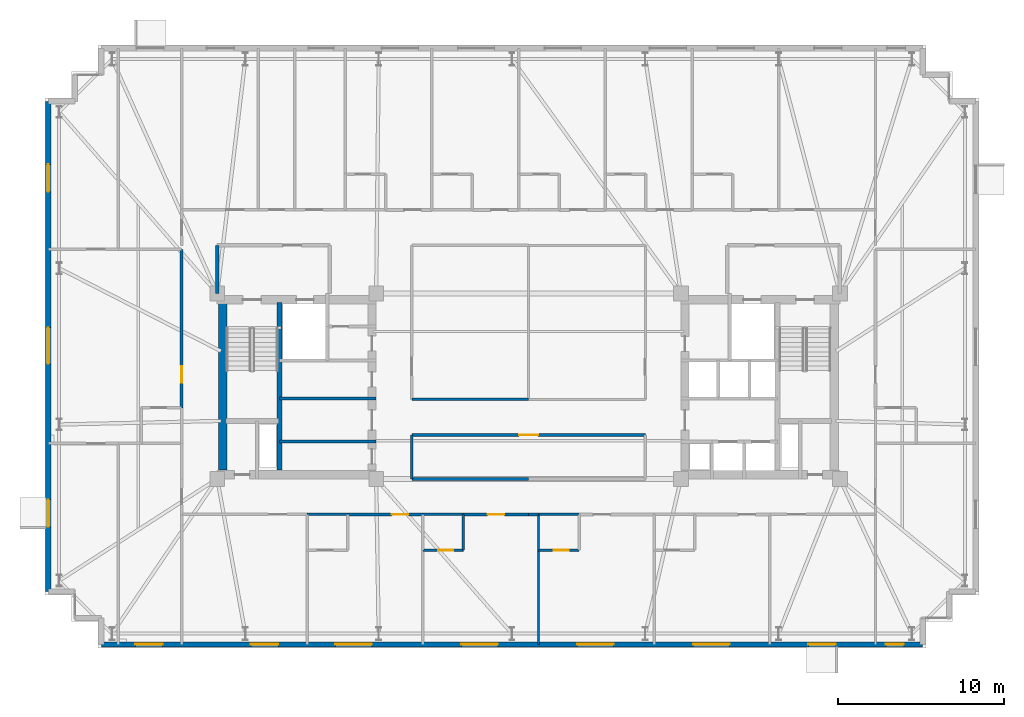
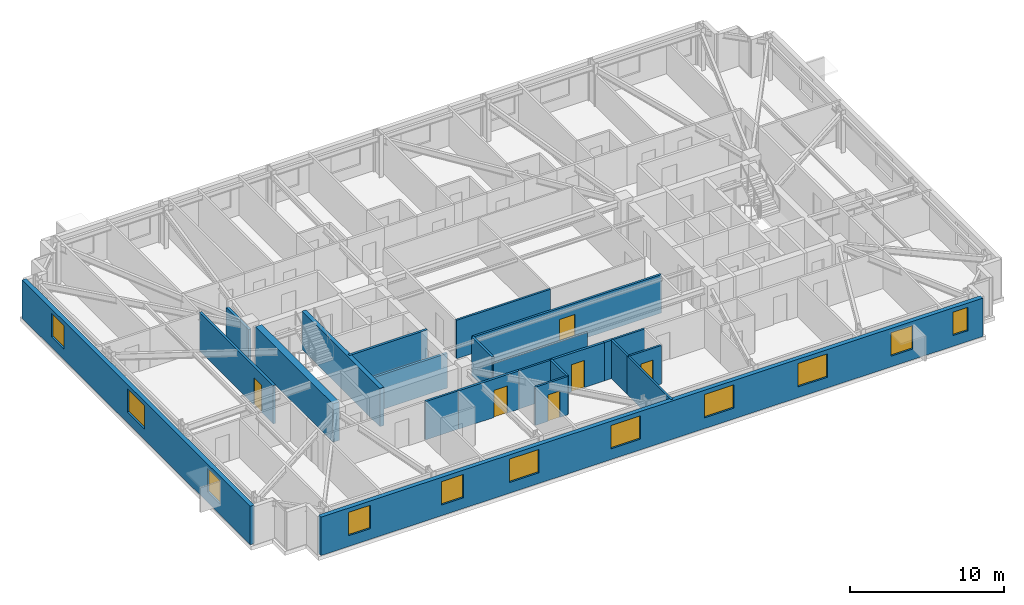
# One storey, part 11 of 17: 23 walls, 11 windows, 6 doors, 17 openings.
"""IFC4 building model written with IfcOpenShell, lengths in metres."""

from ifc_helpers import new_model, si_unit, direction, frame, frame_2d, origin, place, context, subcontext, project, spatial, rectangle, extrude, material, layer, layer_set, type_object, element, fill, save


model = new_model("IFC4")

# Units and contexts
model_context = context("Model", 3, precision=1e-05, world=origin(), true_north=direction((0.0, 1.0)))
body_context = subcontext(model_context, "Body", "Model", "MODEL_VIEW")
ifc_project = project(units=[si_unit("LENGTHUNIT", "METRE"), si_unit("AREAUNIT", "SQUARE_METRE"), si_unit("VOLUMEUNIT", "CUBIC_METRE"), si_unit("PLANEANGLEUNIT", "RADIAN"), si_unit("MASSUNIT", "GRAM", prefix="KILO")], contexts=[model_context])

# Site, building, storey
site_placement = place(None, origin())
site = spatial("IfcSite", under=ifc_project, at=site_placement, CompositionType="ELEMENT")
building_placement = place(site_placement, origin())
building = spatial("IfcBuilding", under=site, at=building_placement, Name="Qobustan Lattice House", CompositionType="ELEMENT")
storey_placement = place(building_placement, frame((0.0, 0.0, 144.39990234375)))
storey = spatial("IfcBuildingStorey", under=building, at=storey_placement, Name="L40", CompositionType="ELEMENT", Elevation=144.39990234375)

# Walls
ifc_material_1 = material(Name="Concrete C50/60", Category="concrete")
ifc_layer_1 = layer(ifc_material_1, 0.5)
ifc_layer_set_1 = layer_set([ifc_layer_1], Name="Concrete C50/60")
wall_type_1 = type_object("IfcWallType", Name="WAL-CORE-500", PredefinedType="SHEAR", material=ifc_layer_set_1)
wall_1_placement = place(storey_placement, frame((-18.4599609375, -5.050048828125, 0.0), z_axis=(0.0, 0.0, 1.0), x_axis=(0.0, 1.0, 0.0)))
element("IfcWall", 1, at=wall_1_placement, inside=storey, type_object=wall_type_1, Name="L40 split-core shear wall CW-W", PredefinedType="SHEAR", context=body_context, shape_type="SweptSolid", body=[
    extrude(rectangle(XDim=10.10009765625, YDim=0.5, at=frame_2d((5.050048828125, 0.0))), origin(), (0.0, 0.0, 1.0), 3.0400390625),
])
ifc_material_2 = material(Name="Concrete C50/60", Category="concrete")
ifc_layer_2 = layer(ifc_material_2, 0.280029296875)
ifc_layer_set_2 = layer_set([ifc_layer_2], Name="Concrete C50/60")
wall_type_2 = type_object("IfcWallType", Name="WAL-CORE-SPINE-280", PredefinedType="SHEAR", material=ifc_layer_set_2)
wall_2_placement = place(storey_placement, frame((-15.050048828125, -5.050048828125, 0.0), z_axis=(0.0, 0.0, 1.0), x_axis=(0.0, 1.0, 0.0)))
element("IfcWall", 2, at=wall_2_placement, inside=storey, type_object=wall_type_2, Name="L40 split-core shear wall CW-M", PredefinedType="SHEAR", context=body_context, shape_type="SweptSolid", body=[
    extrude(rectangle(XDim=10.10009765625, YDim=0.300048828125, at=frame_2d((5.050048828125, 0.0))), origin(), (0.0, 0.0, 1.0), 3.0400390625),
])

# Wall, openings, windows
ifc_material_3 = material(Name="Precast concrete C40/50", Category="concrete")
ifc_layer_3 = layer(ifc_material_3, 0.320068359375)
ifc_layer_set_3 = layer_set([ifc_layer_3], Name="Precast concrete C40/50")
wall_type_3 = type_object("IfcWallType", Name="WAL-EXT-STONE-320", PredefinedType="SOLIDWALL", material=ifc_layer_set_3)
wall_3_placement = place(storey_placement, frame((-29.0, -12.39990234375, 0.0), z_axis=(0.0, 0.0, 1.0), x_axis=(0.0, 1.0, 0.0)))
wall_3 = element("IfcWall", 3, at=wall_3_placement, inside=storey, type_object=wall_type_3, Name="L40 exterior limestone-clad wall 5", PredefinedType="SOLIDWALL", context=body_context, shape_type="SweptSolid", body=[
    extrude(rectangle(XDim=29.599853515625, YDim=0.320068359375, at=frame_2d((14.7998046875, 0.0))), origin(), (0.0, 0.0, 1.0), 3.0400390625),
])
opening_1_placement = place(wall_3_placement, frame((3.89501953125, 0.0, 0.85009765625)))
opening_1 = element("IfcOpeningElement", 4, at=opening_1_placement, cuts=wall_3, Name="Opening WN-09", PredefinedType="OPENING", context=body_context, shape_type="SweptSolid", body=[
    extrude(rectangle(XDim=1.64990234375, YDim=1.85009765625, at=frame_2d((0.824951171875, 0.925048828125))), frame((0.0, 0.169921875, 0.0), z_axis=(0.0, -1.0, 0.0), x_axis=(1.0, 0.0, 0.0)), (0.0, 0.0, 1.0), 0.340087890625),
])
opening_2_placement = place(wall_3_placement, frame((13.739990234375, 0.0, 0.85009765625)))
opening_2 = element("IfcOpeningElement", 5, at=opening_2_placement, cuts=wall_3, Name="Opening WN-03", PredefinedType="OPENING", context=body_context, shape_type="SweptSolid", body=[
    extrude(rectangle(XDim=2.199951171875, YDim=1.85009765625, at=frame_2d((1.10009765625, 0.925048828125))), frame((0.0, 0.169921875, 0.0), z_axis=(0.0, -1.0, 0.0), x_axis=(1.0, 0.0, 0.0)), (0.0, 0.0, 1.0), 0.340087890625),
])
opening_3_placement = place(wall_3_placement, frame((24.135009765625, 0.0, 0.85009765625)))
opening_3 = element("IfcOpeningElement", 6, at=opening_3_placement, cuts=wall_3, Name="Opening WN-09", PredefinedType="OPENING", context=body_context, shape_type="SweptSolid", body=[
    extrude(rectangle(XDim=1.64990234375, YDim=1.85009765625, at=frame_2d((0.824951171875, 0.925048828125))), frame((0.0, 0.169921875, 0.0), z_axis=(0.0, -1.0, 0.0), x_axis=(1.0, 0.0, 0.0)), (0.0, 0.0, 1.0), 0.340087890625),
])
ifc_material_4 = material(Name="Double-glazed low-E aluminium window", Category="aluminium")
window_type_1 = type_object("IfcWindowType", Name="WIN-STU-1650x1850", PartitioningType="SINGLE_PANEL", PredefinedType="WINDOW", material=ifc_material_4)
window_1_placement = place(opening_1_placement, origin())
window_1 = element("IfcWindow", 7, at=window_1_placement, inside=storey, type_object=window_type_1, Name="L40 Focus study room W1A window", OverallHeight=1.85009765625, OverallWidth=1.64990234375, PartitioningType="SINGLE_PANEL", PredefinedType="WINDOW", context=body_context, shape_type="SweptSolid", body=[
    extrude(rectangle(XDim=1.64990234375, YDim=1.85009765625, at=frame_2d((0.824951171875, 0.925048828125))), frame((0.0, 0.030029296875, 0.0), z_axis=(0.0, -1.0, 0.0), x_axis=(1.0, 0.0, 0.0)), (0.0, 0.0, 1.0), 0.06005859375),
])
fill(opening_1, window_1)
window_2_placement = place(opening_3_placement, origin())
window_2 = element("IfcWindow", 8, at=window_2_placement, inside=storey, type_object=window_type_1, Name="L40 Focus study room W3A window", OverallHeight=1.85009765625, OverallWidth=1.64990234375, PartitioningType="SINGLE_PANEL", PredefinedType="WINDOW", context=body_context, shape_type="SweptSolid", body=[
    extrude(rectangle(XDim=1.64990234375, YDim=1.85009765625, at=frame_2d((0.824951171875, 0.925048828125))), frame((0.0, 0.030029296875, 0.0), z_axis=(0.0, -1.0, 0.0), x_axis=(1.0, 0.0, 0.0)), (0.0, 0.0, 1.0), 0.06005859375),
])
fill(opening_3, window_2)
ifc_material_5 = material(Name="Double-glazed low-E aluminium window", Category="aluminium")
window_type_2 = type_object("IfcWindowType", Name="WIN-WIDE-2200x1850", PartitioningType="SINGLE_PANEL", PredefinedType="WINDOW", material=ifc_material_5)
window_3_placement = place(opening_2_placement, origin())
window_3 = element("IfcWindow", 9, at=window_3_placement, inside=storey, type_object=window_type_2, Name="L40 Kitchenette and studio apartment L40-W2 window", OverallHeight=1.85009765625, OverallWidth=2.199951171875, PartitioningType="SINGLE_PANEL", PredefinedType="WINDOW", context=body_context, shape_type="SweptSolid", body=[
    extrude(rectangle(XDim=2.199951171875, YDim=1.85009765625, at=frame_2d((1.10009765625, 0.925048828125))), frame((0.0, 0.030029296875, 0.0), z_axis=(0.0, -1.0, 0.0), x_axis=(1.0, 0.0, 0.0)), (0.0, 0.0, 1.0), 0.06005859375),
])
fill(opening_2, window_3)

wall_4_placement = place(storey_placement, frame((23.800048828125, -15.60009765625, 0.0), z_axis=(0.0, 0.0, 1.0), x_axis=(-1.0, 0.0, 0.0)))
wall_4 = element("IfcWall", 10, at=wall_4_placement, inside=storey, type_object=wall_type_3, Name="L40 exterior limestone-clad wall 20", PredefinedType="SOLIDWALL", context=body_context, shape_type="SweptSolid", body=[
    extrude(rectangle(XDim=49.60009765625, YDim=0.320068359375, at=frame_2d((24.800048828125, 0.0))), origin(), (0.0, 0.0, 1.0), 3.0400390625),
])
opening_4_placement = place(wall_4_placement, frame((1.1298828125, 0.0, 0.85009765625)))
opening_4 = element("IfcOpeningElement", 11, at=opening_4_placement, cuts=wall_4, Name="Opening WN-04", PredefinedType="OPENING", context=body_context, shape_type="SweptSolid", body=[
    extrude(rectangle(XDim=1.10009765625, YDim=1.85009765625, at=frame_2d((0.550048828125, 0.925048828125))), frame((0.0, 0.169921875, 0.0), z_axis=(0.0, -1.0, 0.0), x_axis=(1.0, 0.0, 0.0)), (0.0, 0.0, 1.0), 0.340087890625),
])
opening_5_placement = place(wall_4_placement, frame((5.2548828125, 0.0, 0.85009765625)))
opening_5 = element("IfcOpeningElement", 12, at=opening_5_placement, cuts=wall_4, Name="Opening WN-09", PredefinedType="OPENING", context=body_context, shape_type="SweptSolid", body=[
    extrude(rectangle(XDim=1.64990234375, YDim=1.85009765625, at=frame_2d((0.824951171875, 0.925048828125))), frame((0.0, 0.169921875, 0.0), z_axis=(0.0, -1.0, 0.0), x_axis=(1.0, 0.0, 0.0)), (0.0, 0.0, 1.0), 0.340087890625),
])
opening_6_placement = place(wall_4_placement, frame((11.659912109375, 0.0, 0.85009765625)))
opening_6 = element("IfcOpeningElement", 13, at=opening_6_placement, cuts=wall_4, Name="Opening WN-03", PredefinedType="OPENING", context=body_context, shape_type="SweptSolid", body=[
    extrude(rectangle(XDim=2.199951171875, YDim=1.85009765625, at=frame_2d((1.10009765625, 0.925048828125))), frame((0.0, 0.169921875, 0.0), z_axis=(0.0, -1.0, 0.0), x_axis=(1.0, 0.0, 0.0)), (0.0, 0.0, 1.0), 0.340087890625),
])
opening_7_placement = place(wall_4_placement, frame((18.659912109375, 0.0, 0.85009765625)))
opening_7 = element("IfcOpeningElement", 14, at=opening_7_placement, cuts=wall_4, Name="Opening WN-03", PredefinedType="OPENING", context=body_context, shape_type="SweptSolid", body=[
    extrude(rectangle(XDim=2.199951171875, YDim=1.85009765625, at=frame_2d((1.10009765625, 0.925048828125))), frame((0.0, 0.169921875, 0.0), z_axis=(0.0, -1.0, 0.0), x_axis=(1.0, 0.0, 0.0)), (0.0, 0.0, 1.0), 0.340087890625),
])
opening_8_placement = place(wall_4_placement, frame((25.659912109375, 0.0, 0.85009765625)))
opening_8 = element("IfcOpeningElement", 15, at=opening_8_placement, cuts=wall_4, Name="Opening WN-03", PredefinedType="OPENING", context=body_context, shape_type="SweptSolid", body=[
    extrude(rectangle(XDim=2.199951171875, YDim=1.85009765625, at=frame_2d((1.10009765625, 0.925048828125))), frame((0.0, 0.169921875, 0.0), z_axis=(0.0, -1.0, 0.0), x_axis=(1.0, 0.0, 0.0)), (0.0, 0.0, 1.0), 0.340087890625),
])
opening_9_placement = place(wall_4_placement, frame((33.26806640625, 0.0, 0.85009765625)))
opening_9 = element("IfcOpeningElement", 16, at=opening_9_placement, cuts=wall_4, Name="Opening WN-03", PredefinedType="OPENING", context=body_context, shape_type="SweptSolid", body=[
    extrude(rectangle(XDim=2.199951171875, YDim=1.85009765625, at=frame_2d((1.10009765625, 0.925048828125))), frame((0.0, 0.169921875, 0.0), z_axis=(0.0, -1.0, 0.0), x_axis=(1.0, 0.0, 0.0)), (0.0, 0.0, 1.0), 0.340087890625),
])
opening_10_placement = place(wall_4_placement, frame((38.91259765625, 0.0, 0.85009765625)))
opening_10 = element("IfcOpeningElement", 17, at=opening_10_placement, cuts=wall_4, Name="Opening WN-09", PredefinedType="OPENING", context=body_context, shape_type="SweptSolid", body=[
    extrude(rectangle(XDim=1.64990234375, YDim=1.85009765625, at=frame_2d((0.824951171875, 0.925048828125))), frame((0.0, 0.169921875, 0.0), z_axis=(0.0, -1.0, 0.0), x_axis=(1.0, 0.0, 0.0)), (0.0, 0.0, 1.0), 0.340087890625),
])
opening_11_placement = place(wall_4_placement, frame((45.89501953125, 0.0, 0.85009765625)))
opening_11 = element("IfcOpeningElement", 18, at=opening_11_placement, cuts=wall_4, Name="Opening WN-09", PredefinedType="OPENING", context=body_context, shape_type="SweptSolid", body=[
    extrude(rectangle(XDim=1.64990234375, YDim=1.85009765625, at=frame_2d((0.824951171875, 0.925048828125))), frame((0.0, 0.169921875, 0.0), z_axis=(0.0, -1.0, 0.0), x_axis=(1.0, 0.0, 0.0)), (0.0, 0.0, 1.0), 0.340087890625),
])
ifc_material_6 = material(Name="Double-glazed low-E aluminium window", Category="aluminium")
window_type_3 = type_object("IfcWindowType", Name="WIN-NAR-1100x1850", PartitioningType="SINGLE_PANEL", PredefinedType="WINDOW", material=ifc_material_6)
window_4_placement = place(opening_4_placement, origin())
window_4 = element("IfcWindow", 19, at=window_4_placement, inside=storey, type_object=window_type_3, Name="L40 Focus study room E1 window", OverallHeight=1.85009765625, OverallWidth=1.10009765625, PartitioningType="SINGLE_PANEL", PredefinedType="WINDOW", context=body_context, shape_type="SweptSolid", body=[
    extrude(rectangle(XDim=1.10009765625, YDim=1.85009765625, at=frame_2d((0.550048828125, 0.925048828125))), frame((0.0, 0.030029296875, 0.0), z_axis=(0.0, -1.0, 0.0), x_axis=(1.0, 0.0, 0.0)), (0.0, 0.0, 1.0), 0.06005859375),
])
fill(opening_4, window_4)
window_5_placement = place(opening_5_placement, origin())
window_5 = element("IfcWindow", 20, at=window_5_placement, inside=storey, type_object=window_type_1, Name="L40 Group study room window", OverallHeight=1.85009765625, OverallWidth=1.64990234375, PartitioningType="SINGLE_PANEL", PredefinedType="WINDOW", context=body_context, shape_type="SweptSolid", body=[
    extrude(rectangle(XDim=1.64990234375, YDim=1.85009765625, at=frame_2d((0.824951171875, 0.925048828125))), frame((0.0, 0.030029296875, 0.0), z_axis=(0.0, -1.0, 0.0), x_axis=(1.0, 0.0, 0.0)), (0.0, 0.0, 1.0), 0.06005859375),
])
fill(opening_5, window_5)
window_6_placement = place(opening_10_placement, origin())
window_6 = element("IfcWindow", 21, at=window_6_placement, inside=storey, type_object=window_type_1, Name="L40 Focus study room S1 window", OverallHeight=1.85009765625, OverallWidth=1.64990234375, PartitioningType="SINGLE_PANEL", PredefinedType="WINDOW", context=body_context, shape_type="SweptSolid", body=[
    extrude(rectangle(XDim=1.64990234375, YDim=1.85009765625, at=frame_2d((0.824951171875, 0.925048828125))), frame((0.0, 0.030029296875, 0.0), z_axis=(0.0, -1.0, 0.0), x_axis=(1.0, 0.0, 0.0)), (0.0, 0.0, 1.0), 0.06005859375),
])
fill(opening_10, window_6)
window_7_placement = place(opening_11_placement, origin())
window_7 = element("IfcWindow", 22, at=window_7_placement, inside=storey, type_object=window_type_1, Name="L40 Focus study room W1B window", OverallHeight=1.85009765625, OverallWidth=1.64990234375, PartitioningType="SINGLE_PANEL", PredefinedType="WINDOW", context=body_context, shape_type="SweptSolid", body=[
    extrude(rectangle(XDim=1.64990234375, YDim=1.85009765625, at=frame_2d((0.824951171875, 0.925048828125))), frame((0.0, 0.030029296875, 0.0), z_axis=(0.0, -1.0, 0.0), x_axis=(1.0, 0.0, 0.0)), (0.0, 0.0, 1.0), 0.06005859375),
])
fill(opening_11, window_7)
window_8_placement = place(opening_6_placement, origin())
window_8 = element("IfcWindow", 23, at=window_8_placement, inside=storey, type_object=window_type_2, Name="L40 Kitchenette and studio apartment L40-S5 window", OverallHeight=1.85009765625, OverallWidth=2.199951171875, PartitioningType="SINGLE_PANEL", PredefinedType="WINDOW", context=body_context, shape_type="SweptSolid", body=[
    extrude(rectangle(XDim=2.199951171875, YDim=1.85009765625, at=frame_2d((1.10009765625, 0.925048828125))), frame((0.0, 0.030029296875, 0.0), z_axis=(0.0, -1.0, 0.0), x_axis=(1.0, 0.0, 0.0)), (0.0, 0.0, 1.0), 0.06005859375),
])
fill(opening_6, window_8)
window_9_placement = place(opening_7_placement, origin())
window_9 = element("IfcWindow", 24, at=window_9_placement, inside=storey, type_object=window_type_2, Name="L40 Kitchenette and studio apartment L40-S4 window", OverallHeight=1.85009765625, OverallWidth=2.199951171875, PartitioningType="SINGLE_PANEL", PredefinedType="WINDOW", context=body_context, shape_type="SweptSolid", body=[
    extrude(rectangle(XDim=2.199951171875, YDim=1.85009765625, at=frame_2d((1.10009765625, 0.925048828125))), frame((0.0, 0.030029296875, 0.0), z_axis=(0.0, -1.0, 0.0), x_axis=(1.0, 0.0, 0.0)), (0.0, 0.0, 1.0), 0.06005859375),
])
fill(opening_7, window_9)
window_10_placement = place(opening_8_placement, origin())
window_10 = element("IfcWindow", 25, at=window_10_placement, inside=storey, type_object=window_type_2, Name="L40 Kitchenette and studio apartment L40-S3 window", OverallHeight=1.85009765625, OverallWidth=2.199951171875, PartitioningType="SINGLE_PANEL", PredefinedType="WINDOW", context=body_context, shape_type="SweptSolid", body=[
    extrude(rectangle(XDim=2.199951171875, YDim=1.85009765625, at=frame_2d((1.10009765625, 0.925048828125))), frame((0.0, 0.030029296875, 0.0), z_axis=(0.0, -1.0, 0.0), x_axis=(1.0, 0.0, 0.0)), (0.0, 0.0, 1.0), 0.06005859375),
])
fill(opening_8, window_10)
window_11_placement = place(opening_9_placement, origin())
window_11 = element("IfcWindow", 26, at=window_11_placement, inside=storey, type_object=window_type_2, Name="L40 Kitchenette and studio apartment L40-S2 window", OverallHeight=1.85009765625, OverallWidth=2.199951171875, PartitioningType="SINGLE_PANEL", PredefinedType="WINDOW", context=body_context, shape_type="SweptSolid", body=[
    extrude(rectangle(XDim=2.199951171875, YDim=1.85009765625, at=frame_2d((1.10009765625, 0.925048828125))), frame((0.0, 0.030029296875, 0.0), z_axis=(0.0, -1.0, 0.0), x_axis=(1.0, 0.0, 0.0)), (0.0, 0.0, 1.0), 0.06005859375),
])
fill(opening_9, window_11)

# Walls
ifc_material_7 = material(Name="Gypsum fireboard acoustic partition", Category="gypsum")
ifc_layer_4 = layer(ifc_material_7, 0.179931640625)
ifc_layer_set_4 = layer_set([ifc_layer_4], Name="Gypsum fireboard acoustic partition")
wall_type_4 = type_object("IfcWallType", Name="WAL-FIRE-180", PredefinedType="PARTITIONING", material=ifc_layer_set_4)
wall_5_placement = place(storey_placement, frame((-15.050048828125, -3.35009765625, 0.0), z_axis=(0.0, 0.0, 1.0), x_axis=(1.0, 0.0, 0.0)))
element("IfcWall", 27, at=wall_5_placement, inside=storey, type_object=wall_type_4, Name="L40 interior partition 10", PredefinedType="PARTITIONING", context=body_context, shape_type="SweptSolid", body=[
    extrude(rectangle(XDim=5.85009765625, YDim=0.179931640625, at=frame_2d((2.925048828125, 0.0))), origin(), (0.0, 0.0, 1.0), 2.755126953125),
])
wall_6_placement = place(storey_placement, frame((-9.199951171875, -0.75, 0.0), z_axis=(0.0, 0.0, 1.0), x_axis=(-1.0, 0.0, 0.0)))
element("IfcWall", 28, at=wall_6_placement, inside=storey, type_object=wall_type_4, Name="L40 interior partition 11", PredefinedType="PARTITIONING", context=body_context, shape_type="SweptSolid", body=[
    extrude(rectangle(XDim=5.85009765625, YDim=0.179931640625, at=frame_2d((2.925048828125, 0.0))), origin(), (0.0, 0.0, 1.0), 3.0400390625),
])

# Wall, opening, door
wall_7_placement = place(storey_placement, frame((-6.383056640625, -7.75, 0.0), z_axis=(0.0, 0.0, 1.0), x_axis=(-1.0, 0.0, 0.0)))
wall_7 = element("IfcWall", 29, at=wall_7_placement, inside=storey, type_object=wall_type_4, Name="L40 interior partition 53", PredefinedType="PARTITIONING", context=body_context, shape_type="SweptSolid", body=[
    extrude(rectangle(XDim=4.533935546875, YDim=0.179931640625, at=frame_2d((2.26708984375, 0.0))), origin(), (0.0, 0.0, 1.0), 3.0400390625),
])
opening_12_placement = place(wall_7_placement, frame((0.876708984375, 0.0, 0.0)))
opening_12 = element("IfcOpeningElement", 30, at=opening_12_placement, cuts=wall_7, Name="Opening FD-02", PredefinedType="OPENING", context=body_context, shape_type="SweptSolid", body=[
    extrude(rectangle(XDim=1.0, YDim=2.14990234375, at=frame_2d((0.5, 1.074951171875))), frame((0.0, 0.099853515625, 0.0), z_axis=(0.0, -1.0, 0.0), x_axis=(1.0, 0.0, 0.0)), (0.0, 0.0, 1.0), 0.199951171875),
])
ifc_material_8 = material(Name="Persian walnut timber and steel frame door", Category="steel")
door_type_1 = type_object("IfcDoorType", Name="DOR-UNIT-FD-1000x2150", OperationType="NOTDEFINED", PredefinedType="DOOR", material=ifc_material_8)
door_1_placement = place(opening_12_placement, origin())
door_1 = element("IfcDoor", 31, at=door_1_placement, inside=storey, type_object=door_type_1, Name="L40 South-west floor corridor to Kitchenette and studio apartment L40-S2 door", OperationType="SINGLE_SWING_LEFT", OverallHeight=2.14990234375, OverallWidth=1.0, PredefinedType="DOOR", context=body_context, shape_type="SweptSolid", body=[
    extrude(rectangle(XDim=1.0, YDim=2.14990234375, at=frame_2d((0.5, 1.074951171875))), frame((0.0, 0.02490234375, 0.0), z_axis=(0.0, -1.0, 0.0), x_axis=(1.0, 0.0, 0.0)), (0.0, 0.0, 1.0), 0.050048828125),
])
fill(opening_12, door_1)

wall_8_placement = place(storey_placement, frame((0.0, -7.75, 0.0), z_axis=(0.0, 0.0, 1.0), x_axis=(-1.0, 0.0, 0.0)))
wall_8 = element("IfcWall", 32, at=wall_8_placement, inside=storey, type_object=wall_type_4, Name="L40 interior partition 55", PredefinedType="PARTITIONING", context=body_context, shape_type="SweptSolid", body=[
    extrude(rectangle(XDim=3.93310546875, YDim=0.179931640625, at=frame_2d((1.966552734375, 0.0))), origin(), (0.0, 0.0, 1.0), 3.0400390625),
])
opening_13_placement = place(wall_8_placement, frame((1.466552734375, 0.0, 0.0)))
opening_13 = element("IfcOpeningElement", 33, at=opening_13_placement, cuts=wall_8, Name="Opening FD-02", PredefinedType="OPENING", context=body_context, shape_type="SweptSolid", body=[
    extrude(rectangle(XDim=1.0, YDim=2.14990234375, at=frame_2d((0.5, 1.074951171875))), frame((0.0, 0.099853515625, 0.0), z_axis=(0.0, -1.0, 0.0), x_axis=(1.0, 0.0, 0.0)), (0.0, 0.0, 1.0), 0.199951171875),
])
door_2_placement = place(opening_13_placement, origin())
door_2 = element("IfcDoor", 34, at=door_2_placement, inside=storey, type_object=door_type_1, Name="L40 South-west floor corridor to Kitchenette and studio apartment L40-S3 door", OperationType="SINGLE_SWING_RIGHT", OverallHeight=2.14990234375, OverallWidth=1.0, PredefinedType="DOOR", context=body_context, shape_type="SweptSolid", body=[
    extrude(rectangle(XDim=1.0, YDim=2.14990234375, at=frame_2d((0.5, 1.074951171875))), frame((0.0, 0.02490234375, 0.0), z_axis=(0.0, -1.0, 0.0), x_axis=(1.0, 0.0, 0.0)), (0.0, 0.0, 1.0), 0.050048828125),
])
fill(opening_13, door_2)

# Wall
wall_9_placement = place(storey_placement, frame((0.60009765625, -7.75, 0.0), z_axis=(0.0, 0.0, 1.0), x_axis=(-1.0, 0.0, 0.0)))
element("IfcWall", 35, at=wall_9_placement, inside=storey, type_object=wall_type_4, Name="L40 interior partition 59", PredefinedType="PARTITIONING", context=body_context, shape_type="SweptSolid", body=[
    extrude(rectangle(XDim=0.60009765625, YDim=0.179931640625, at=frame_2d((0.300048828125, 0.0))), origin(), (0.0, 0.0, 1.0), 3.0400390625),
])

# Wall, opening, door
wall_10_placement = place(storey_placement, frame((-20.949951171875, -1.31005859375, 0.0), z_axis=(0.0, 0.0, 1.0), x_axis=(0.0, 1.0, 0.0)))
wall_10 = element("IfcWall", 36, at=wall_10_placement, inside=storey, type_object=wall_type_4, Name="L40 interior partition 67", PredefinedType="PARTITIONING", context=body_context, shape_type="SweptSolid", body=[
    extrude(rectangle(XDim=9.570068359375, YDim=0.179931640625, at=frame_2d((4.78515625, 0.0))), origin(), (0.0, 0.0, 1.0), 3.0400390625),
])
opening_14_placement = place(wall_10_placement, frame((1.50634765625, 0.0, 0.0)))
opening_14 = element("IfcOpeningElement", 37, at=opening_14_placement, cuts=wall_10, Name="Opening FD-02", PredefinedType="OPENING", context=body_context, shape_type="SweptSolid", body=[
    extrude(rectangle(XDim=1.0, YDim=2.14990234375, at=frame_2d((0.5, 1.074951171875))), frame((0.0, 0.099853515625, 0.0), z_axis=(0.0, -1.0, 0.0), x_axis=(1.0, 0.0, 0.0)), (0.0, 0.0, 1.0), 0.199951171875),
])
door_3_placement = place(opening_14_placement, origin())
door_3 = element("IfcDoor", 38, at=door_3_placement, inside=storey, type_object=door_type_1, Name="L40 West wing spine gallery to Kitchenette and studio apartment L40-W2 door", OperationType="SINGLE_SWING_LEFT", OverallHeight=2.14990234375, OverallWidth=1.0, PredefinedType="DOOR", context=body_context, shape_type="SweptSolid", body=[
    extrude(rectangle(XDim=1.0, YDim=2.14990234375, at=frame_2d((0.5, 1.074951171875))), frame((0.0, 0.02490234375, 0.0), z_axis=(0.0, -1.0, 0.0), x_axis=(1.0, 0.0, 0.0)), (0.0, 0.0, 1.0), 0.050048828125),
])
fill(opening_14, door_3)

# Walls
ifc_material_9 = material(Name="Acoustic twin-stud gypsum partition", Category="gypsum")
ifc_layer_5 = layer(ifc_material_9, 0.14990234375)
ifc_layer_set_5 = layer_set([ifc_layer_5], Name="Acoustic twin-stud gypsum partition")
wall_type_5 = type_object("IfcWallType", Name="WAL-PART-150", PredefinedType="PARTITIONING", material=ifc_layer_set_5)
wall_11_placement = place(storey_placement, frame((-7.050048828125, -0.800048828125, 0.0), z_axis=(0.0, 0.0, 1.0), x_axis=(1.0, 0.0, 0.0)))
element("IfcWall", 39, at=wall_11_placement, inside=storey, type_object=wall_type_5, Name="L40 interior partition 72", PredefinedType="PARTITIONING", context=body_context, shape_type="SweptSolid", body=[
    extrude(rectangle(XDim=7.050048828125, YDim=0.14990234375, at=frame_2d((3.52490234375, 0.0))), origin(), (0.0, 0.0, 1.0), 3.0400390625),
])
wall_12_placement = place(storey_placement, frame((0.60009765625, -9.89990234375, 0.0), z_axis=(0.0, 0.0, 1.0), x_axis=(0.0, -1.0, 0.0)))
element("IfcWall", 40, at=wall_12_placement, inside=storey, type_object=wall_type_5, Name="L40 interior partition 128", PredefinedType="PARTITIONING", context=body_context, shape_type="SweptSolid", body=[
    extrude(rectangle(XDim=5.7001953125, YDim=0.14990234375, at=frame_2d((2.85009765625, 0.0))), origin(), (0.0, 0.0, 1.0), 3.0400390625),
])
ifc_material_10 = material(Name="High-mass acoustic twin-stud partition", Category="gypsum")
ifc_layer_6 = layer(ifc_material_10, 0.1650390625)
ifc_layer_set_6 = layer_set([ifc_layer_6], Name="High-mass acoustic twin-stud partition")
wall_type_6 = type_object("IfcWallType", Name="WAL-PART-165", PredefinedType="PARTITIONING", material=ifc_layer_set_6)
wall_13_placement = place(storey_placement, frame((-7.050048828125, -5.60009765625, 0.0), z_axis=(0.0, 0.0, 1.0), x_axis=(1.0, 0.0, 0.0)))
element("IfcWall", 41, at=wall_13_placement, inside=storey, type_object=wall_type_6, Name="L40 interior partition 57", PredefinedType="PARTITIONING", context=body_context, shape_type="SweptSolid", body=[
    extrude(rectangle(XDim=7.050048828125, YDim=0.1650390625, at=frame_2d((3.52490234375, 0.0))), origin(), (0.0, 0.0, 1.0), 2.525146484375),
])

# Wall, opening, door
wall_14_placement = place(storey_placement, frame((7.050048828125, -2.949951171875, 0.0), z_axis=(0.0, 0.0, 1.0), x_axis=(-1.0, 0.0, 0.0)))
wall_14 = element("IfcWall", 42, at=wall_14_placement, inside=storey, type_object=wall_type_6, Name="L40 interior partition 74", PredefinedType="PARTITIONING", context=body_context, shape_type="SweptSolid", body=[
    extrude(rectangle(XDim=14.10009765625, YDim=0.1650390625, at=frame_2d((7.050048828125, 0.0))), origin(), (0.0, 0.0, 1.0), 3.0400390625),
])
opening_15_placement = place(wall_14_placement, frame((6.47509765625, 0.0, 0.0)))
opening_15 = element("IfcOpeningElement", 43, at=opening_15_placement, cuts=wall_14, Name="Opening ID-03", PredefinedType="OPENING", context=body_context, shape_type="SweptSolid", body=[
    extrude(rectangle(XDim=1.14990234375, YDim=2.14990234375, at=frame_2d((0.574951171875, 1.074951171875))), frame((0.0, 0.092529296875, 0.0), z_axis=(0.0, -1.0, 0.0), x_axis=(1.0, 0.0, 0.0)), (0.0, 0.0, 1.0), 0.18505859375),
])
ifc_material_11 = material(Name="Persian walnut timber and steel frame door", Category="steel")
door_type_2 = type_object("IfcDoorType", Name="DOR-KITCH-1150x2150", OperationType="NOTDEFINED", PredefinedType="DOOR", material=ifc_material_11)
door_4_placement = place(opening_15_placement, origin())
door_4 = element("IfcDoor", 44, at=door_4_placement, inside=storey, type_object=door_type_2, Name="L40 Central spine corridor to Shared kitchen and tea room door", OperationType="SINGLE_SWING_LEFT", OverallHeight=2.14990234375, OverallWidth=1.14990234375, PredefinedType="DOOR", context=body_context, shape_type="SweptSolid", body=[
    extrude(rectangle(XDim=1.14990234375, YDim=2.14990234375, at=frame_2d((0.574951171875, 1.074951171875))), frame((0.0, 0.02490234375, 0.0), z_axis=(0.0, -1.0, 0.0), x_axis=(1.0, 0.0, 0.0)), (0.0, 0.0, 1.0), 0.050048828125),
])
fill(opening_15, door_4)

# Walls
wall_15_placement = place(storey_placement, frame((-7.050048828125, -2.949951171875, 0.0), z_axis=(0.0, 0.0, 1.0), x_axis=(0.0, -1.0, 0.0)))
element("IfcWall", 45, at=wall_15_placement, inside=storey, type_object=wall_type_6, Name="L40 interior partition 76", PredefinedType="PARTITIONING", context=body_context, shape_type="SweptSolid", body=[
    extrude(rectangle(XDim=2.650146484375, YDim=0.1650390625, at=frame_2d((1.3251953125, 0.0))), origin(), (0.0, 0.0, 1.0), 3.0400390625),
])
ifc_material_12 = material(Name="Two-hour gypsum fireboard acoustic partition", Category="gypsum")
ifc_layer_7 = layer(ifc_material_12, 0.199951171875)
ifc_layer_set_7 = layer_set([ifc_layer_7], Name="Two-hour gypsum fireboard acoustic partition")
wall_type_7 = type_object("IfcWallType", Name="WAL-PROT-200", PredefinedType="PARTITIONING", material=ifc_layer_set_7)
wall_16_placement = place(storey_placement, frame((-18.800048828125, 8.5, 0.0), z_axis=(0.0, 0.0, 1.0), x_axis=(0.0, -1.0, 0.0)))
element("IfcWall", 46, at=wall_16_placement, inside=storey, type_object=wall_type_7, Name="L40 interior partition 5", PredefinedType="PARTITIONING", context=body_context, shape_type="SweptSolid", body=[
    extrude(rectangle(XDim=2.89990234375, YDim=0.199951171875, at=frame_2d((1.449951171875, 0.0))), origin(), (0.0, 0.0, 1.0), 2.525146484375),
])
ifc_material_13 = material(Name="Moisture-resistant acoustic plumbing wall", Category="gypsum")
ifc_layer_8 = layer(ifc_material_13, 0.14990234375)
ifc_layer_set_8 = layer_set([ifc_layer_8], Name="Moisture-resistant acoustic plumbing wall")
wall_type_8 = type_object("IfcWallType", Name="WAL-WET-150", PredefinedType="PLUMBINGWALL", material=ifc_layer_set_8)
for number, where, z_axis, x_axis, name in (
    (47, (-10.9169921875, -7.75, 0.0), (0.0, 0.0, 1.0), (-1.0, 0.0, 0.0), "L40 interior partition 54"),
    (48, (-3.93310546875, -7.75, 0.0), (0.0, 0.0, 1.0), (-1.0, 0.0, 0.0), "L40 interior partition 56"),
    (49, (3.050048828125, -7.75, 0.0), (0.0, 0.0, 1.0), (-1.0, 0.0, 0.0), "L40 interior partition 61"),
):
    element("IfcWall", number, at=place(storey_placement, frame(where, z_axis=z_axis, x_axis=x_axis)), inside=storey, type_object=wall_type_8, Name=name, PredefinedType="PLUMBINGWALL", context=body_context, shape_type="SweptSolid", body=[
        extrude(rectangle(XDim=2.449951171875, YDim=0.14990234375, at=frame_2d((1.22509765625, 0.0))), origin(), (0.0, 0.0, 1.0), 3.0400390625),
    ])

# Wall, opening, door
wall_17_placement = place(storey_placement, frame((-6.383056640625, -9.89990234375, 0.0), z_axis=(0.0, 0.0, 1.0), x_axis=(1.0, 0.0, 0.0)))
wall_17 = element("IfcWall", 50, at=wall_17_placement, inside=storey, type_object=wall_type_8, Name="L40 interior partition 126", PredefinedType="PLUMBINGWALL", context=body_context, shape_type="SweptSolid", body=[
    extrude(rectangle(XDim=2.449951171875, YDim=0.14990234375, at=frame_2d((1.22509765625, 0.0))), origin(), (0.0, 0.0, 1.0), 3.0400390625),
])
opening_16_placement = place(wall_17_placement, frame((0.92138671875, 0.0, 0.0)))
opening_16 = element("IfcOpeningElement", 51, at=opening_16_placement, cuts=wall_17, Name="Opening WD-01", PredefinedType="OPENING", context=body_context, shape_type="SweptSolid", body=[
    extrude(rectangle(XDim=0.89990234375, YDim=2.10009765625, at=frame_2d((0.449951171875, 1.050048828125))), frame((0.0, 0.0849609375, 0.0), z_axis=(0.0, -1.0, 0.0), x_axis=(1.0, 0.0, 0.0)), (0.0, 0.0, 1.0), 0.169921875),
])
ifc_material_14 = material(Name="Persian walnut timber and steel frame door", Category="steel")
door_type_3 = type_object("IfcDoorType", Name="DOR-WET-900x2100", OperationType="NOTDEFINED", PredefinedType="DOOR", material=ifc_material_14)
door_5_placement = place(opening_16_placement, origin())
door_5 = element("IfcDoor", 52, at=door_5_placement, inside=storey, type_object=door_type_3, Name="L40 Kitchenette and studio apartment L40-S3 to En-suite bathroom L40-S3 door", OperationType="SINGLE_SWING_RIGHT", OverallHeight=2.10009765625, OverallWidth=0.89990234375, PredefinedType="DOOR", context=body_context, shape_type="SweptSolid", body=[
    extrude(rectangle(XDim=0.89990234375, YDim=2.10009765625, at=frame_2d((0.449951171875, 1.050048828125))), frame((0.0, 0.02490234375, 0.0), z_axis=(0.0, -1.0, 0.0), x_axis=(1.0, 0.0, 0.0)), (0.0, 0.0, 1.0), 0.050048828125),
])
fill(opening_16, door_5)

# Walls
for number, where, z_axis, x_axis, name in (
    (53, (-3.93310546875, -9.89990234375, 0.0), (0.0, 0.0, 1.0), (0.0, 1.0, 0.0), "L40 interior partition 127"),
    (54, (0.60009765625, -7.75, 0.0), (0.0, 0.0, 1.0), (0.0, -1.0, 0.0), "L40 interior partition 129"),
):
    element("IfcWall", number, at=place(storey_placement, frame(where, z_axis=z_axis, x_axis=x_axis)), inside=storey, type_object=wall_type_8, Name=name, PredefinedType="PLUMBINGWALL", context=body_context, shape_type="SweptSolid", body=[
        extrude(rectangle(XDim=2.14990234375, YDim=0.14990234375, at=frame_2d((1.074951171875, 0.0))), origin(), (0.0, 0.0, 1.0), 3.0400390625),
    ])

# Wall, opening, door
wall_18_placement = place(storey_placement, frame((0.60009765625, -9.89990234375, 0.0), z_axis=(0.0, 0.0, 1.0), x_axis=(1.0, 0.0, 0.0)))
wall_18 = element("IfcWall", 55, at=wall_18_placement, inside=storey, type_object=wall_type_8, Name="L40 interior partition 130", PredefinedType="PLUMBINGWALL", context=body_context, shape_type="SweptSolid", body=[
    extrude(rectangle(XDim=2.449951171875, YDim=0.14990234375, at=frame_2d((1.22509765625, 0.0))), origin(), (0.0, 0.0, 1.0), 3.0400390625),
])
opening_17_placement = place(wall_18_placement, frame((0.921142578125, 0.0, 0.0)))
opening_17 = element("IfcOpeningElement", 56, at=opening_17_placement, cuts=wall_18, Name="Opening WD-01", PredefinedType="OPENING", context=body_context, shape_type="SweptSolid", body=[
    extrude(rectangle(XDim=0.89990234375, YDim=2.10009765625, at=frame_2d((0.449951171875, 1.050048828125))), frame((0.0, 0.0849609375, 0.0), z_axis=(0.0, -1.0, 0.0), x_axis=(1.0, 0.0, 0.0)), (0.0, 0.0, 1.0), 0.169921875),
])
door_6_placement = place(opening_17_placement, origin())
door_6 = element("IfcDoor", 57, at=door_6_placement, inside=storey, type_object=door_type_3, Name="L40 Kitchenette and studio apartment L40-S4 to En-suite bathroom L40-S4 door", OperationType="SINGLE_SWING_LEFT", OverallHeight=2.10009765625, OverallWidth=0.89990234375, PredefinedType="DOOR", context=body_context, shape_type="SweptSolid", body=[
    extrude(rectangle(XDim=0.89990234375, YDim=2.10009765625, at=frame_2d((0.449951171875, 1.050048828125))), frame((0.0, 0.02490234375, 0.0), z_axis=(0.0, -1.0, 0.0), x_axis=(1.0, 0.0, 0.0)), (0.0, 0.0, 1.0), 0.050048828125),
])
fill(opening_17, door_6)

save(model, "model.ifc")
